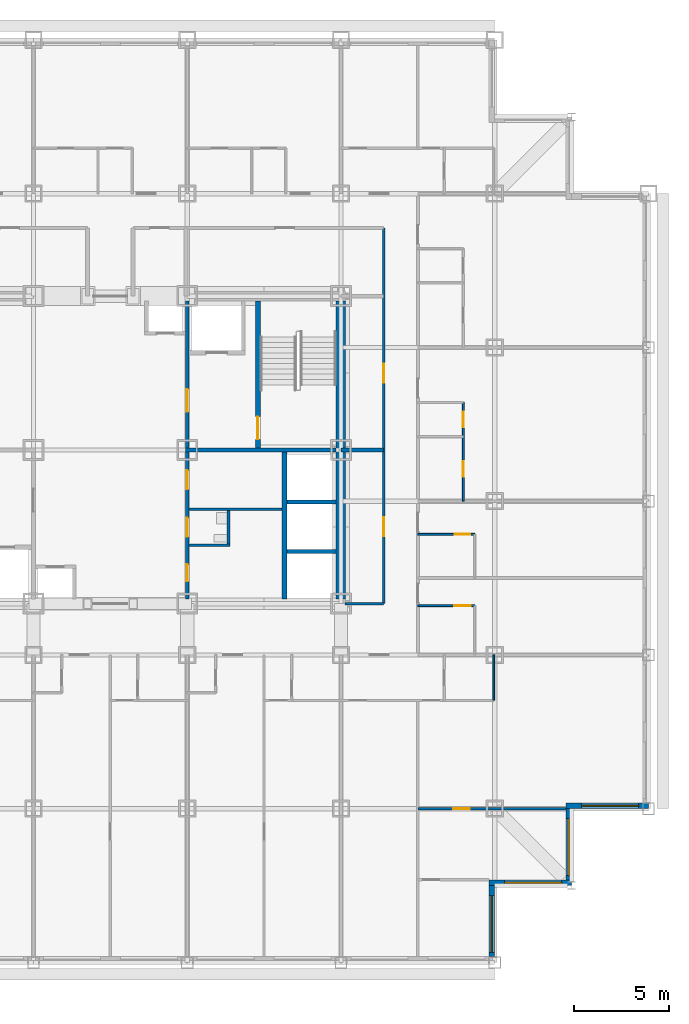
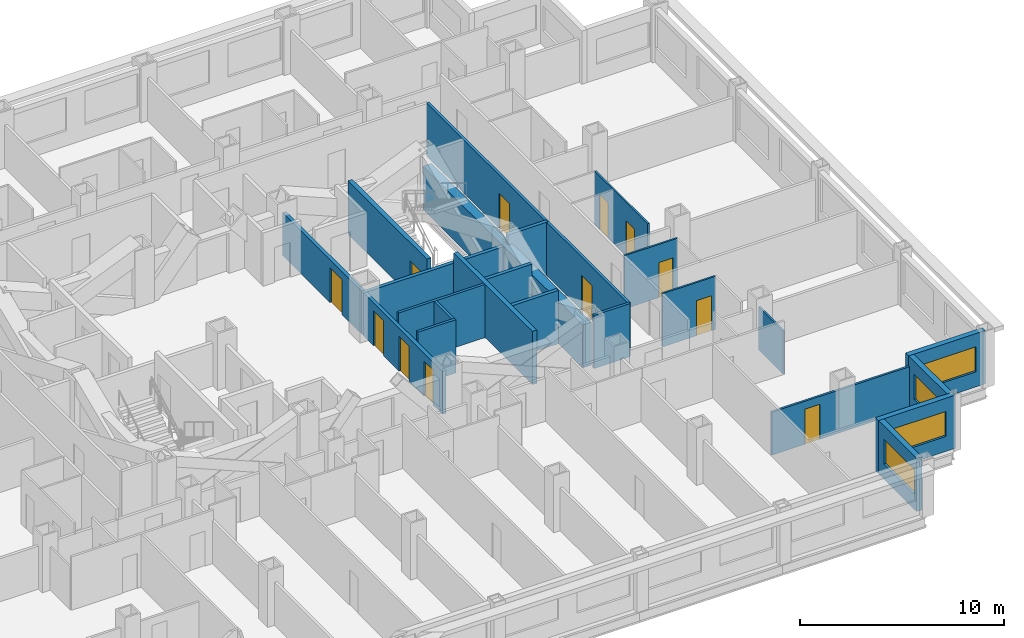
# One storey, part 7 of 13: 23 walls, 12 doors, 4 windows, 16 openings.
"""IFC4 building model written with IfcOpenShell, lengths in metres."""

from ifc_helpers import new_model, si_unit, direction, frame, frame_2d, origin, place, context, subcontext, project, spatial, rectangle, extrude, material, layer, layer_set, type_object, element, fill, save


model = new_model("IFC4")

# Units and contexts
model_context = context("Model", 3, precision=1e-05, world=origin(), true_north=direction((0.0, 1.0)))
body_context = subcontext(model_context, "Body", "Model", "MODEL_VIEW")
ifc_project = project(units=[si_unit("LENGTHUNIT", "METRE"), si_unit("AREAUNIT", "SQUARE_METRE"), si_unit("VOLUMEUNIT", "CUBIC_METRE"), si_unit("PLANEANGLEUNIT", "RADIAN"), si_unit("MASSUNIT", "GRAM", prefix="KILO")], contexts=[model_context])

# Site, building, storey
site_placement = place(None, origin())
site = spatial("IfcSite", under=ifc_project, at=site_placement, CompositionType="ELEMENT")
building_placement = place(site_placement, origin())
building = spatial("IfcBuilding", under=site, at=building_placement, Name="Kopane Lantern Tower", CompositionType="ELEMENT")
storey_placement = place(building_placement, frame((0.0, 0.0, 110.199951171875)))
storey = spatial("IfcBuildingStorey", under=building, at=storey_placement, Name="L27", CompositionType="ELEMENT", Elevation=110.199951171875)

# Wall, opening, door
ifc_material_1 = material(Name="Gypsum board on steel studs", Category="steel")
ifc_layer_1 = layer(ifc_material_1, 0.1201171875)
ifc_layer_set_1 = layer_set([ifc_layer_1], Name="APARTMENT INTERNAL WALL 120")
wall_type_1 = type_object("IfcWallType", Name="APARTMENT INTERNAL WALL 120", PredefinedType="PARTITIONING", material=ifc_layer_set_1)
wall_1_placement = place(storey_placement, frame((44.550048828125, 13.5, 0.0), z_axis=(0.0, 0.0, 1.0), x_axis=(1.0, 0.0, 0.0)))
wall_1 = element("IfcWall", 1, at=wall_1_placement, inside=storey, type_object=wall_type_1, Name="Apartment Internal Wall 120 L27", PredefinedType="PARTITIONING", context=body_context, shape_type="SweptSolid", body=[
    extrude(rectangle(XDim=7.800048828125, YDim=0.1201171875, at=frame_2d((3.89990234375, 0.0))), origin(), (0.0, 0.0, 1.0), 2.577880859375),
])
opening_1_placement = place(wall_1_placement, frame((1.875, 0.0, 0.0)))
opening_1 = element("IfcOpeningElement", 2, at=opening_1_placement, cuts=wall_1, Name="Opening L27-058", PredefinedType="OPENING", context=body_context, shape_type="SweptSolid", body=[
    extrude(rectangle(XDim=0.85009765625, YDim=2.10009765625, at=frame_2d((0.425048828125, 1.050048828125))), frame((0.0, 0.070068359375, 0.0), z_axis=(0.0, -1.0, 0.0), x_axis=(1.0, 0.0, 0.0)), (0.0, 0.0, 1.0), 0.14013671875),
])
ifc_material_2 = material(Name="Timber door set", Category="wood")
door_type_1 = type_object("IfcDoorType", Name="DOOR D4 850x2100", OperationType="SINGLE_SWING_LEFT", PredefinedType="DOOR", material=ifc_material_2)
door_1_placement = place(opening_1_placement, origin())
door_1 = element("IfcDoor", 3, at=door_1_placement, inside=storey, type_object=door_type_1, Name="Door L27-058", OperationType="SINGLE_SWING_LEFT", OverallHeight=2.10009765625, OverallWidth=0.85009765625, PredefinedType="DOOR", context=body_context, shape_type="SweptSolid", body=[
    extrude(rectangle(XDim=0.85009765625, YDim=2.10009765625, at=frame_2d((0.425048828125, 1.050048828125))), frame((0.0, 0.02490234375, 0.0), z_axis=(0.0, -1.0, 0.0), x_axis=(1.0, 0.0, 0.0)), (0.0, 0.0, 1.0), 0.050048828125),
])
fill(opening_1, door_1)

ifc_material_3 = material(Name="Moisture-resistant board on steel studs", Category="steel")
ifc_layer_2 = layer(ifc_material_3, 0.10009765625)
ifc_layer_set_2 = layer_set([ifc_layer_2], Name="BATHROOM WALL 100")
wall_type_2 = type_object("IfcWallType", Name="BATHROOM WALL 100", PredefinedType="PARTITIONING", material=ifc_layer_set_2)
wall_2_placement = place(storey_placement, frame((44.550048828125, 24.199951171875, 0.0), z_axis=(0.0, 0.0, 1.0), x_axis=(1.0, 0.0, 0.0)))
wall_2 = element("IfcWall", 4, at=wall_2_placement, inside=storey, type_object=wall_type_2, Name="Bathroom Wall 100 L27", PredefinedType="PARTITIONING", context=body_context, shape_type="SweptSolid", body=[
    extrude(rectangle(XDim=3.0, YDim=0.10009765625, at=frame_2d((1.5, 0.0))), origin(), (0.0, 0.0, 1.0), 3.18994140625),
])
opening_2_placement = place(wall_2_placement, frame((1.925048828125, 0.0, 0.0)))
opening_2 = element("IfcOpeningElement", 5, at=opening_2_placement, cuts=wall_2, Name="Opening L27-039", PredefinedType="OPENING", context=body_context, shape_type="SweptSolid", body=[
    extrude(rectangle(XDim=0.85009765625, YDim=2.10009765625, at=frame_2d((0.425048828125, 1.050048828125))), frame((0.0, 0.06005859375, 0.0), z_axis=(0.0, -1.0, 0.0), x_axis=(1.0, 0.0, 0.0)), (0.0, 0.0, 1.0), 0.1201171875),
])
door_2_placement = place(opening_2_placement, origin())
door_2 = element("IfcDoor", 6, at=door_2_placement, inside=storey, type_object=door_type_1, Name="Door L27-039", OperationType="SINGLE_SWING_LEFT", OverallHeight=2.10009765625, OverallWidth=0.85009765625, PredefinedType="DOOR", context=body_context, shape_type="SweptSolid", body=[
    extrude(rectangle(XDim=0.85009765625, YDim=2.10009765625, at=frame_2d((0.425048828125, 1.050048828125))), frame((0.0, 0.02490234375, 0.0), z_axis=(0.0, -1.0, 0.0), x_axis=(1.0, 0.0, 0.0)), (0.0, 0.0, 1.0), 0.050048828125),
])
fill(opening_2, door_2)

wall_3_placement = place(storey_placement, frame((44.550048828125, 27.949951171875, 0.0), z_axis=(0.0, 0.0, 1.0), x_axis=(1.0, 0.0, 0.0)))
wall_3 = element("IfcWall", 7, at=wall_3_placement, inside=storey, type_object=wall_type_2, Name="Bathroom Wall 100 L27", PredefinedType="PARTITIONING", context=body_context, shape_type="SweptSolid", body=[
    extrude(rectangle(XDim=3.0, YDim=0.10009765625, at=frame_2d((1.5, 0.0))), origin(), (0.0, 0.0, 1.0), 3.18994140625),
])
opening_3_placement = place(wall_3_placement, frame((1.949951171875, 0.0, 0.0)))
opening_3 = element("IfcOpeningElement", 8, at=opening_3_placement, cuts=wall_3, Name="Opening L27-041", PredefinedType="OPENING", context=body_context, shape_type="SweptSolid", body=[
    extrude(rectangle(XDim=0.800048828125, YDim=2.10009765625, at=frame_2d((0.39990234375, 1.050048828125))), frame((0.0, 0.06005859375, 0.0), z_axis=(0.0, -1.0, 0.0), x_axis=(1.0, 0.0, 0.0)), (0.0, 0.0, 1.0), 0.1201171875),
])
ifc_material_4 = material(Name="Timber door set", Category="wood")
door_type_2 = type_object("IfcDoorType", Name="DOOR D2 800x2100", OperationType="SINGLE_SWING_LEFT", PredefinedType="DOOR", material=ifc_material_4)
door_3_placement = place(opening_3_placement, origin())
door_3 = element("IfcDoor", 9, at=door_3_placement, inside=storey, type_object=door_type_2, Name="Door L27-041", OperationType="SINGLE_SWING_LEFT", OverallHeight=2.10009765625, OverallWidth=0.800048828125, PredefinedType="DOOR", context=body_context, shape_type="SweptSolid", body=[
    extrude(rectangle(XDim=0.800048828125, YDim=2.10009765625, at=frame_2d((0.39990234375, 1.050048828125))), frame((0.0, 0.02490234375, 0.0), z_axis=(0.0, -1.0, 0.0), x_axis=(1.0, 0.0, 0.0)), (0.0, 0.0, 1.0), 0.050048828125),
])
fill(opening_3, door_3)

# Wall, openings, doors
wall_4_placement = place(storey_placement, frame((46.949951171875, 29.699951171875, 0.0), z_axis=(0.0, 0.0, 1.0), x_axis=(0.0, 1.0, 0.0)))
wall_4 = element("IfcWall", 10, at=wall_4_placement, inside=storey, type_object=wall_type_2, Name="Bathroom Wall 100 L27", PredefinedType="PARTITIONING", context=body_context, shape_type="SweptSolid", body=[
    extrude(rectangle(XDim=5.199951171875, YDim=0.10009765625, at=frame_2d((2.60009765625, 0.0))), origin(), (0.0, 0.0, 1.0), 3.18994140625),
])
opening_4_placement = place(wall_4_placement, frame((1.300048828125, 0.0, 0.0)))
opening_4 = element("IfcOpeningElement", 11, at=opening_4_placement, cuts=wall_4, Name="Opening L27-043", PredefinedType="OPENING", context=body_context, shape_type="SweptSolid", body=[
    extrude(rectangle(XDim=0.800048828125, YDim=2.10009765625, at=frame_2d((0.39990234375, 1.050048828125))), frame((0.0, 0.06005859375, 0.0), z_axis=(0.0, -1.0, 0.0), x_axis=(1.0, 0.0, 0.0)), (0.0, 0.0, 1.0), 0.1201171875),
])
opening_5_placement = place(wall_4_placement, frame((3.89990234375, 0.0, 0.0)))
opening_5 = element("IfcOpeningElement", 12, at=opening_5_placement, cuts=wall_4, Name="Opening L27-044", PredefinedType="OPENING", context=body_context, shape_type="SweptSolid", body=[
    extrude(rectangle(XDim=0.800048828125, YDim=2.10009765625, at=frame_2d((0.39990234375, 1.050048828125))), frame((0.0, 0.06005859375, 0.0), z_axis=(0.0, -1.0, 0.0), x_axis=(1.0, 0.0, 0.0)), (0.0, 0.0, 1.0), 0.1201171875),
])
door_4_placement = place(opening_4_placement, origin())
door_4 = element("IfcDoor", 13, at=door_4_placement, inside=storey, type_object=door_type_2, Name="Door L27-043", OperationType="SINGLE_SWING_RIGHT", OverallHeight=2.10009765625, OverallWidth=0.800048828125, PredefinedType="DOOR", context=body_context, shape_type="SweptSolid", body=[
    extrude(rectangle(XDim=0.800048828125, YDim=2.10009765625, at=frame_2d((0.39990234375, 1.050048828125))), frame((0.0, 0.02490234375, 0.0), z_axis=(0.0, -1.0, 0.0), x_axis=(1.0, 0.0, 0.0)), (0.0, 0.0, 1.0), 0.050048828125),
])
fill(opening_4, door_4)
door_5_placement = place(opening_5_placement, origin())
door_5 = element("IfcDoor", 14, at=door_5_placement, inside=storey, type_object=door_type_2, Name="Door L27-044", OperationType="SINGLE_SWING_RIGHT", OverallHeight=2.10009765625, OverallWidth=0.800048828125, PredefinedType="DOOR", context=body_context, shape_type="SweptSolid", body=[
    extrude(rectangle(XDim=0.800048828125, YDim=2.10009765625, at=frame_2d((0.39990234375, 1.050048828125))), frame((0.0, 0.02490234375, 0.0), z_axis=(0.0, -1.0, 0.0), x_axis=(1.0, 0.0, 0.0)), (0.0, 0.0, 1.0), 0.050048828125),
])
fill(opening_5, door_5)

# Walls
wall_5_placement = place(storey_placement, frame((48.550048828125, 21.60009765625, 0.0), z_axis=(0.0, 0.0, 1.0), x_axis=(0.0, -1.0, 0.0)))
element("IfcWall", 15, at=wall_5_placement, inside=storey, type_object=wall_type_2, Name="Bathroom Wall 100 L27", PredefinedType="PARTITIONING", context=body_context, shape_type="SweptSolid", body=[
    extrude(rectangle(XDim=2.400146484375, YDim=0.10009765625, at=frame_2d((1.2001953125, 0.0))), origin(), (0.0, 0.0, 1.0), 2.577880859375),
])
ifc_material_5 = material(Name="Gypsum shaft wall EI 120", Category="gypsum")
ifc_layer_3 = layer(ifc_material_5, 0.5)
ifc_layer_set_3 = layer_set([ifc_layer_3], Name="CORE PERIMETER WALL 500 EI 120")
wall_type_3 = type_object("IfcWallType", Name="CORE PERIMETER WALL 500 EI 120", PredefinedType="SOLIDWALL", material=ifc_layer_set_3)
wall_6_placement = place(storey_placement, frame((40.5, 24.550048828125, 0.0), z_axis=(0.0, 0.0, 1.0), x_axis=(0.0, 1.0, 0.0)))
element("IfcWall", 16, at=wall_6_placement, inside=storey, type_object=wall_type_3, Name="Core shaft wall L27 PE", PredefinedType="SOLIDWALL", context=body_context, shape_type="SweptSolid", body=[
    extrude(rectangle(XDim=15.699951171875, YDim=0.5, at=frame_2d((7.85009765625, 0.0))), origin(), (0.0, 0.0, 1.0), 2.577880859375),
])
ifc_material_6 = material(Name="Gypsum partition EI 60", Category="gypsum")
ifc_layer_4 = layer(ifc_material_6, 0.14990234375)
ifc_layer_set_4 = layer_set([ifc_layer_4], Name="CORE ROOM PARTITION 150 EI 60")
wall_type_4 = type_object("IfcWallType", Name="CORE ROOM PARTITION 150 EI 60", PredefinedType="PARTITIONING", material=ifc_layer_set_4)
wall_7_placement = place(storey_placement, frame((32.5, 27.375, 0.0), z_axis=(0.0, 0.0, 1.0), x_axis=(1.0, 0.0, 0.0)))
element("IfcWall", 17, at=wall_7_placement, inside=storey, type_object=wall_type_4, Name="Core room partition L27 E1", PredefinedType="PARTITIONING", context=body_context, shape_type="SweptSolid", body=[
    extrude(rectangle(XDim=2.14990234375, YDim=0.14990234375, at=frame_2d((1.074951171875, 0.0))), origin(), (0.0, 0.0, 1.0), 3.18994140625),
])
wall_8_placement = place(storey_placement, frame((32.5, 29.27490234375, 0.0), z_axis=(0.0, 0.0, 1.0), x_axis=(1.0, 0.0, 0.0)))
element("IfcWall", 18, at=wall_8_placement, inside=storey, type_object=wall_type_4, Name="Core room partition L27 E2", PredefinedType="PARTITIONING", context=body_context, shape_type="SweptSolid", body=[
    extrude(rectangle(XDim=4.89990234375, YDim=0.14990234375, at=frame_2d((2.449951171875, 0.0))), origin(), (0.0, 0.0, 1.0), 3.18994140625),
])
wall_9_placement = place(storey_placement, frame((34.574951171875, 27.449951171875, 0.0), z_axis=(0.0, 0.0, 1.0), x_axis=(0.0, 1.0, 0.0)))
element("IfcWall", 19, at=wall_9_placement, inside=storey, type_object=wall_type_4, Name="Core room partition L27 EB1", PredefinedType="PARTITIONING", context=body_context, shape_type="SweptSolid", body=[
    extrude(rectangle(XDim=1.75, YDim=0.14990234375, at=frame_2d((0.875, 0.0))), origin(), (0.0, 0.0, 1.0), 3.18994140625),
])

# Wall, openings, doors
ifc_material_7 = material(Name="Gypsum partition EI 60", Category="gypsum")
ifc_layer_5 = layer(ifc_material_7, 0.199951171875)
ifc_layer_set_5 = layer_set([ifc_layer_5], Name="CORE ROOM WALL 200 EI 60")
wall_type_5 = type_object("IfcWallType", Name="CORE ROOM WALL 200 EI 60", PredefinedType="PARTITIONING", material=ifc_layer_set_5)
wall_10_placement = place(storey_placement, frame((32.39990234375, 24.550048828125, 0.0), z_axis=(0.0, 0.0, 1.0), x_axis=(0.0, 1.0, 0.0)))
wall_10 = element("IfcWall", 20, at=wall_10_placement, inside=storey, type_object=wall_type_5, Name="Core room wall L27 XE", PredefinedType="PARTITIONING", context=body_context, shape_type="SweptSolid", body=[
    extrude(rectangle(XDim=7.75, YDim=0.199951171875, at=frame_2d((3.875, 0.0))), origin(), (0.0, 0.0, 1.0), 2.577880859375),
])
opening_6_placement = place(wall_10_placement, frame((0.925048828125, 0.0, 0.0)))
opening_6 = element("IfcOpeningElement", 21, at=opening_6_placement, cuts=wall_10, Name="Opening 27.C20", PredefinedType="OPENING", context=body_context, shape_type="SweptSolid", body=[
    extrude(rectangle(XDim=0.89990234375, YDim=2.10009765625, at=frame_2d((0.449951171875, 1.050048828125))), frame((0.0, 0.10986328125, 0.0), z_axis=(0.0, -1.0, 0.0), x_axis=(1.0, 0.0, 0.0)), (0.0, 0.0, 1.0), 0.219970703125),
])
opening_7_placement = place(wall_10_placement, frame((3.27490234375, 0.0, 0.0)))
opening_7 = element("IfcOpeningElement", 22, at=opening_7_placement, cuts=wall_10, Name="Opening 27.C21", PredefinedType="OPENING", context=body_context, shape_type="SweptSolid", body=[
    extrude(rectangle(XDim=1.0, YDim=2.10009765625, at=frame_2d((0.5, 1.050048828125))), frame((0.0, 0.10986328125, 0.0), z_axis=(0.0, -1.0, 0.0), x_axis=(1.0, 0.0, 0.0)), (0.0, 0.0, 1.0), 0.219970703125),
])
opening_8_placement = place(wall_10_placement, frame((5.77490234375, 0.0, 0.0)))
opening_8 = element("IfcOpeningElement", 23, at=opening_8_placement, cuts=wall_10, Name="Opening 27.C22", PredefinedType="OPENING", context=body_context, shape_type="SweptSolid", body=[
    extrude(rectangle(XDim=1.0, YDim=2.10009765625, at=frame_2d((0.5, 1.050048828125))), frame((0.0, 0.10986328125, 0.0), z_axis=(0.0, -1.0, 0.0), x_axis=(1.0, 0.0, 0.0)), (0.0, 0.0, 1.0), 0.219970703125),
])
ifc_material_8 = material(Name="Steel door set", Category="steel")
door_type_3 = type_object("IfcDoorType", Name="CORE ROOM DOOR 1000x2100 FD30S", OperationType="SINGLE_SWING_RIGHT", PredefinedType="DOOR", material=ifc_material_8)
door_6_placement = place(opening_7_placement, origin())
door_6 = element("IfcDoor", 24, at=door_6_placement, inside=storey, type_object=door_type_3, Name="Door Staff WC L27", OperationType="SINGLE_SWING_LEFT", OverallHeight=2.10009765625, OverallWidth=1.0, PredefinedType="DOOR", context=body_context, shape_type="SweptSolid", body=[
    extrude(rectangle(XDim=1.0, YDim=2.10009765625, at=frame_2d((0.5, 1.050048828125))), frame((0.0, 0.02490234375, 0.0), z_axis=(0.0, -1.0, 0.0), x_axis=(1.0, 0.0, 0.0)), (0.0, 0.0, 1.0), 0.050048828125),
])
fill(opening_7, door_6)
door_7_placement = place(opening_8_placement, origin())
door_7 = element("IfcDoor", 25, at=door_7_placement, inside=storey, type_object=door_type_3, Name="Door Butler pantry L27", OperationType="SINGLE_SWING_RIGHT", OverallHeight=2.10009765625, OverallWidth=1.0, PredefinedType="DOOR", context=body_context, shape_type="SweptSolid", body=[
    extrude(rectangle(XDim=1.0, YDim=2.10009765625, at=frame_2d((0.5, 1.050048828125))), frame((0.0, 0.02490234375, 0.0), z_axis=(0.0, -1.0, 0.0), x_axis=(1.0, 0.0, 0.0)), (0.0, 0.0, 1.0), 0.050048828125),
])
fill(opening_8, door_7)
ifc_material_9 = material(Name="Steel door set", Category="steel")
door_type_4 = type_object("IfcDoorType", Name="CORE ROOM DOOR 900x2100 FD60", OperationType="SINGLE_SWING_LEFT", PredefinedType="DOOR", material=ifc_material_9)
door_8_placement = place(opening_6_placement, origin())
door_8 = element("IfcDoor", 26, at=door_8_placement, inside=storey, type_object=door_type_4, Name="Door Luggage store L27", OperationType="SINGLE_SWING_LEFT", OverallHeight=2.10009765625, OverallWidth=0.89990234375, PredefinedType="DOOR", context=body_context, shape_type="SweptSolid", body=[
    extrude(rectangle(XDim=0.89990234375, YDim=2.10009765625, at=frame_2d((0.449951171875, 1.050048828125))), frame((0.0, 0.02490234375, 0.0), z_axis=(0.0, -1.0, 0.0), x_axis=(1.0, 0.0, 0.0)), (0.0, 0.0, 1.0), 0.050048828125),
])
fill(opening_6, door_8)

# Wall
ifc_material_10 = material(Name="Gypsum shaft wall EI 120", Category="gypsum")
ifc_layer_6 = layer(ifc_material_10, 0.25)
ifc_layer_set_6 = layer_set([ifc_layer_6], Name="CORE SHAFT WALL 250 EI 120")
wall_type_6 = type_object("IfcWallType", Name="CORE SHAFT WALL 250 EI 120", PredefinedType="SOLIDWALL", material=ifc_layer_set_6)
wall_11_placement = place(storey_placement, frame((37.52490234375, 24.550048828125, 0.0), z_axis=(0.0, 0.0, 1.0), x_axis=(0.0, 1.0, 0.0)))
element("IfcWall", 27, at=wall_11_placement, inside=storey, type_object=wall_type_6, Name="Core shaft wall L27 XLR", PredefinedType="SOLIDWALL", context=body_context, shape_type="SweptSolid", body=[
    extrude(rectangle(XDim=7.75, YDim=0.25, at=frame_2d((3.875, 0.0))), origin(), (0.0, 0.0, 1.0), 3.18994140625),
])

# Wall, opening, door
wall_12_placement = place(storey_placement, frame((36.125, 32.5, 0.0), z_axis=(0.0, 0.0, 1.0), x_axis=(0.0, 1.0, 0.0)))
wall_12 = element("IfcWall", 28, at=wall_12_placement, inside=storey, type_object=wall_type_6, Name="Core shaft wall L27 XST2", PredefinedType="SOLIDWALL", context=body_context, shape_type="SweptSolid", body=[
    extrude(rectangle(XDim=7.75, YDim=0.25, at=frame_2d((3.875, 0.0))), origin(), (0.0, 0.0, 1.0), 3.18994140625),
])
opening_9_placement = place(wall_12_placement, frame((0.449951171875, 0.0, 0.0)))
opening_9 = element("IfcOpeningElement", 29, at=opening_9_placement, cuts=wall_12, Name="Opening 27.SD2", PredefinedType="OPENING", context=body_context, shape_type="SweptSolid", body=[
    extrude(rectangle(XDim=1.199951171875, YDim=2.10009765625, at=frame_2d((0.60009765625, 1.050048828125))), frame((0.0, 0.135009765625, 0.0), z_axis=(0.0, -1.0, 0.0), x_axis=(1.0, 0.0, 0.0)), (0.0, 0.0, 1.0), 0.27001953125),
])
ifc_material_11 = material(Name="Steel door set", Category="steel")
door_type_5 = type_object("IfcDoorType", Name="STAIR DOOR 1200x2100 FD60S", OperationType="SINGLE_SWING_LEFT", PredefinedType="DOOR", material=ifc_material_11)
door_9_placement = place(opening_9_placement, origin())
door_9 = element("IfcDoor", 30, at=door_9_placement, inside=storey, type_object=door_type_5, Name="Stair door ST2 L27", OperationType="SINGLE_SWING_RIGHT", OverallHeight=2.10009765625, OverallWidth=1.199951171875, PredefinedType="DOOR", context=body_context, shape_type="SweptSolid", body=[
    extrude(rectangle(XDim=1.199951171875, YDim=2.10009765625, at=frame_2d((0.60009765625, 1.050048828125))), frame((0.0, 0.02490234375, 0.0), z_axis=(0.0, -1.0, 0.0), x_axis=(1.0, 0.0, 0.0)), (0.0, 0.0, 1.0), 0.050048828125),
])
fill(opening_9, door_9)

# Wall, openings, doors
ifc_material_12 = material(Name="Gypsum board on steel studs", Category="steel")
ifc_layer_7 = layer(ifc_material_12, 0.14990234375)
ifc_layer_set_7 = layer_set([ifc_layer_7], Name="CORRIDOR WALL 150 EI 60")
wall_type_7 = type_object("IfcWallType", Name="CORRIDOR WALL 150 EI 60", PredefinedType="PARTITIONING", material=ifc_layer_set_7)
wall_13_placement = place(storey_placement, frame((42.75, 24.300048828125, 0.0), z_axis=(0.0, 0.0, 1.0), x_axis=(0.0, 1.0, 0.0)))
wall_13 = element("IfcWall", 31, at=wall_13_placement, inside=storey, type_object=wall_type_7, Name="Corridor Wall 150 Ei 60 L27", PredefinedType="PARTITIONING", context=body_context, shape_type="SweptSolid", body=[
    extrude(rectangle(XDim=19.800048828125, YDim=0.14990234375, at=frame_2d((9.89990234375, 0.0))), origin(), (0.0, 0.0, 1.0), 3.18994140625),
])
opening_10_placement = place(wall_13_placement, frame((3.550048828125, 0.0, 0.0)))
opening_10 = element("IfcOpeningElement", 32, at=opening_10_placement, cuts=wall_13, Name="Opening L27-003", PredefinedType="OPENING", context=body_context, shape_type="SweptSolid", body=[
    extrude(rectangle(XDim=1.0, YDim=2.10009765625, at=frame_2d((0.5, 1.050048828125))), frame((0.0, 0.0849609375, 0.0), z_axis=(0.0, -1.0, 0.0), x_axis=(1.0, 0.0, 0.0)), (0.0, 0.0, 1.0), 0.169921875),
])
opening_11_placement = place(wall_13_placement, frame((11.64990234375, 0.0, 0.0)))
opening_11 = element("IfcOpeningElement", 33, at=opening_11_placement, cuts=wall_13, Name="Opening L27-004", PredefinedType="OPENING", context=body_context, shape_type="SweptSolid", body=[
    extrude(rectangle(XDim=1.0, YDim=2.10009765625, at=frame_2d((0.5, 1.050048828125))), frame((0.0, 0.0849609375, 0.0), z_axis=(0.0, -1.0, 0.0), x_axis=(1.0, 0.0, 0.0)), (0.0, 0.0, 1.0), 0.169921875),
])
ifc_material_13 = material(Name="Steel door set", Category="steel")
door_type_6 = type_object("IfcDoorType", Name="DOOR D5 1000x2100 FD60", OperationType="SINGLE_SWING_LEFT", PredefinedType="DOOR", material=ifc_material_13)
door_10_placement = place(opening_10_placement, origin())
door_10 = element("IfcDoor", 34, at=door_10_placement, inside=storey, type_object=door_type_6, Name="Door L27-003", OperationType="SINGLE_SWING_LEFT", OverallHeight=2.10009765625, OverallWidth=1.0, PredefinedType="DOOR", context=body_context, shape_type="SweptSolid", body=[
    extrude(rectangle(XDim=1.0, YDim=2.10009765625, at=frame_2d((0.5, 1.050048828125))), frame((0.0, 0.02490234375, 0.0), z_axis=(0.0, -1.0, 0.0), x_axis=(1.0, 0.0, 0.0)), (0.0, 0.0, 1.0), 0.050048828125),
])
fill(opening_10, door_10)
door_11_placement = place(opening_11_placement, origin())
door_11 = element("IfcDoor", 35, at=door_11_placement, inside=storey, type_object=door_type_6, Name="Door L27-004", OperationType="SINGLE_SWING_RIGHT", OverallHeight=2.10009765625, OverallWidth=1.0, PredefinedType="DOOR", context=body_context, shape_type="SweptSolid", body=[
    extrude(rectangle(XDim=1.0, YDim=2.10009765625, at=frame_2d((0.5, 1.050048828125))), frame((0.0, 0.02490234375, 0.0), z_axis=(0.0, -1.0, 0.0), x_axis=(1.0, 0.0, 0.0)), (0.0, 0.0, 1.0), 0.050048828125),
])
fill(opening_11, door_11)

# Wall
wall_14_placement = place(storey_placement, frame((40.699951171875, 24.300048828125, 0.0), z_axis=(0.0, 0.0, 1.0), x_axis=(1.0, 0.0, 0.0)))
element("IfcWall", 36, at=wall_14_placement, inside=storey, type_object=wall_type_7, Name="Corridor Wall 150 Ei 60 L27", PredefinedType="PARTITIONING", context=body_context, shape_type="SweptSolid", body=[
    extrude(rectangle(XDim=2.050048828125, YDim=0.14990234375, at=frame_2d((1.02490234375, 0.0))), origin(), (0.0, 0.0, 1.0), 3.18994140625),
])

# Wall, opening, window
ifc_material_14 = material(Name="Terracotta rainscreen on light steel framing", Category="masonry")
ifc_layer_8 = layer(ifc_material_14, 0.300048828125)
ifc_layer_set_8 = layer_set([ifc_layer_8], Name="EXTERNAL WALL EW1 300 TERRACOTTA")
wall_type_8 = type_object("IfcWallType", Name="EXTERNAL WALL EW1 300 TERRACOTTA", PredefinedType="SOLIDWALL", material=ifc_layer_set_8)
wall_15_placement = place(storey_placement, frame((48.449951171875, 5.699951171875, 0.0), z_axis=(0.0, 0.0, 1.0), x_axis=(0.0, 1.0, 0.0)))
wall_15 = element("IfcWall", 37, at=wall_15_placement, inside=storey, type_object=wall_type_8, Name="External wall E L27", PredefinedType="SOLIDWALL", context=body_context, shape_type="SweptSolid", body=[
    extrude(rectangle(XDim=3.75, YDim=0.300048828125, at=frame_2d((1.875, 0.0))), origin(), (0.0, 0.0, 1.0), 3.18994140625),
])
opening_12_placement = place(wall_15_placement, frame((0.22509765625, 0.0, 0.89990234375)))
opening_12 = element("IfcOpeningElement", 38, at=opening_12_placement, cuts=wall_15, Name="Opening WR300150", PredefinedType="OPENING", context=body_context, shape_type="SweptSolid", body=[
    extrude(rectangle(XDim=3.0, YDim=1.5, at=frame_2d((1.5, 0.75))), frame((0.0, 0.159912109375, 0.0), z_axis=(0.0, -1.0, 0.0), x_axis=(1.0, 0.0, 0.0)), (0.0, 0.0, 1.0), 0.320068359375),
])
ifc_material_15 = material(Name="Aluminium and clear glass", Category="aluminium")
window_type = type_object("IfcWindowType", Name="RIBBON WINDOW WR300150 3000x1500", PartitioningType="SINGLE_PANEL", PredefinedType="WINDOW", material=ifc_material_15)
window_1_placement = place(opening_12_placement, origin())
window_1 = element("IfcWindow", 39, at=window_1_placement, inside=storey, type_object=window_type, Name="Window E L27", OverallHeight=1.5, OverallWidth=3.0, PartitioningType="SINGLE_PANEL", PredefinedType="WINDOW", context=body_context, shape_type="SweptSolid", body=[
    extrude(rectangle(XDim=3.0, YDim=1.5, at=frame_2d((1.5, 0.75))), frame((0.0, 0.030029296875, 0.0), z_axis=(0.0, -1.0, 0.0), x_axis=(1.0, 0.0, 0.0)), (0.0, 0.0, 1.0), 0.06005859375),
])
fill(opening_12, window_1)

wall_16_placement = place(storey_placement, frame((48.300048828125, 9.60009765625, 0.0), z_axis=(0.0, 0.0, 1.0), x_axis=(1.0, 0.0, 0.0)))
wall_16 = element("IfcWall", 40, at=wall_16_placement, inside=storey, type_object=wall_type_8, Name="External wall S L27", PredefinedType="SOLIDWALL", context=body_context, shape_type="SweptSolid", body=[
    extrude(rectangle(XDim=4.349853515625, YDim=0.300048828125, at=frame_2d((2.1748046875, 0.0))), origin(), (0.0, 0.0, 1.0), 3.18994140625),
])
opening_13_placement = place(wall_16_placement, frame((0.824951171875, 0.0, 0.89990234375)))
opening_13 = element("IfcOpeningElement", 41, at=opening_13_placement, cuts=wall_16, Name="Opening WR300150", PredefinedType="OPENING", context=body_context, shape_type="SweptSolid", body=[
    extrude(rectangle(XDim=3.0, YDim=1.5, at=frame_2d((1.5, 0.75))), frame((0.0, 0.159912109375, 0.0), z_axis=(0.0, -1.0, 0.0), x_axis=(1.0, 0.0, 0.0)), (0.0, 0.0, 1.0), 0.320068359375),
])
window_2_placement = place(opening_13_placement, origin())
window_2 = element("IfcWindow", 42, at=window_2_placement, inside=storey, type_object=window_type, Name="Window S L27", OverallHeight=1.5, OverallWidth=3.0, PartitioningType="SINGLE_PANEL", PredefinedType="WINDOW", context=body_context, shape_type="SweptSolid", body=[
    extrude(rectangle(XDim=3.0, YDim=1.5, at=frame_2d((1.5, 0.75))), frame((0.0, 0.030029296875, 0.0), z_axis=(0.0, -1.0, 0.0), x_axis=(1.0, 0.0, 0.0)), (0.0, 0.0, 1.0), 0.06005859375),
])
fill(opening_13, window_2)

wall_17_placement = place(storey_placement, frame((52.5, 9.75, 0.0), z_axis=(0.0, 0.0, 1.0), x_axis=(0.0, 1.0, 0.0)))
wall_17 = element("IfcWall", 43, at=wall_17_placement, inside=storey, type_object=wall_type_8, Name="External wall E L27", PredefinedType="SOLIDWALL", context=body_context, shape_type="SweptSolid", body=[
    extrude(rectangle(XDim=3.75, YDim=0.300048828125, at=frame_2d((1.875, 0.0))), origin(), (0.0, 0.0, 1.0), 3.18994140625),
])
opening_14_placement = place(wall_17_placement, frame((0.22509765625, 0.0, 0.89990234375)))
opening_14 = element("IfcOpeningElement", 44, at=opening_14_placement, cuts=wall_17, Name="Opening WR300150", PredefinedType="OPENING", context=body_context, shape_type="SweptSolid", body=[
    extrude(rectangle(XDim=3.0, YDim=1.5, at=frame_2d((1.5, 0.75))), frame((0.0, 0.159912109375, 0.0), z_axis=(0.0, -1.0, 0.0), x_axis=(1.0, 0.0, 0.0)), (0.0, 0.0, 1.0), 0.320068359375),
])
window_3_placement = place(opening_14_placement, origin())
window_3 = element("IfcWindow", 45, at=window_3_placement, inside=storey, type_object=window_type, Name="Window E L27", OverallHeight=1.5, OverallWidth=3.0, PartitioningType="SINGLE_PANEL", PredefinedType="WINDOW", context=body_context, shape_type="SweptSolid", body=[
    extrude(rectangle(XDim=3.0, YDim=1.5, at=frame_2d((1.5, 0.75))), frame((0.0, 0.030029296875, 0.0), z_axis=(0.0, -1.0, 0.0), x_axis=(1.0, 0.0, 0.0)), (0.0, 0.0, 1.0), 0.06005859375),
])
fill(opening_14, window_3)

wall_18_placement = place(storey_placement, frame((52.35009765625, 13.64990234375, 0.0), z_axis=(0.0, 0.0, 1.0), x_axis=(1.0, 0.0, 0.0)))
wall_18 = element("IfcWall", 46, at=wall_18_placement, inside=storey, type_object=wall_type_8, Name="External wall S L27", PredefinedType="SOLIDWALL", context=body_context, shape_type="SweptSolid", body=[
    extrude(rectangle(XDim=4.349853515625, YDim=0.300048828125, at=frame_2d((2.1748046875, 0.0))), origin(), (0.0, 0.0, 1.0), 3.18994140625),
])
opening_15_placement = place(wall_18_placement, frame((0.824951171875, 0.0, 0.89990234375)))
opening_15 = element("IfcOpeningElement", 47, at=opening_15_placement, cuts=wall_18, Name="Opening WR300150", PredefinedType="OPENING", context=body_context, shape_type="SweptSolid", body=[
    extrude(rectangle(XDim=3.0, YDim=1.5, at=frame_2d((1.5, 0.75))), frame((0.0, 0.159912109375, 0.0), z_axis=(0.0, -1.0, 0.0), x_axis=(1.0, 0.0, 0.0)), (0.0, 0.0, 1.0), 0.320068359375),
])
window_4_placement = place(opening_15_placement, origin())
window_4 = element("IfcWindow", 48, at=window_4_placement, inside=storey, type_object=window_type, Name="Window S L27", OverallHeight=1.5, OverallWidth=3.0, PartitioningType="SINGLE_PANEL", PredefinedType="WINDOW", context=body_context, shape_type="SweptSolid", body=[
    extrude(rectangle(XDim=3.0, YDim=1.5, at=frame_2d((1.5, 0.75))), frame((0.0, 0.030029296875, 0.0), z_axis=(0.0, -1.0, 0.0), x_axis=(1.0, 0.0, 0.0)), (0.0, 0.0, 1.0), 0.06005859375),
])
fill(opening_15, window_4)

# Walls
ifc_material_16 = material(Name="Concrete masonry", Category="masonry")
ifc_layer_9 = layer(ifc_material_16, 0.199951171875)
ifc_layer_set_9 = layer_set([ifc_layer_9], Name="PLANT ROOM WALL 200 EI 120")
wall_type_9 = type_object("IfcWallType", Name="PLANT ROOM WALL 200 EI 120", PredefinedType="SOLIDWALL", material=ifc_layer_set_9)
wall_19_placement = place(storey_placement, frame((40.5, 32.39990234375, 0.0), z_axis=(0.0, 0.0, 1.0), x_axis=(1.0, 0.0, 0.0)))
element("IfcWall", 49, at=wall_19_placement, inside=storey, type_object=wall_type_9, Name="Plant Room Wall 200 Ei 120 L27", PredefinedType="SOLIDWALL", context=body_context, shape_type="SweptSolid", body=[
    extrude(rectangle(XDim=2.25, YDim=0.199951171875, at=frame_2d((1.125, 0.0))), origin(), (0.0, 0.0, 1.0), 3.18994140625),
])
ifc_material_17 = material(Name="Gypsum shaft wall EI 120", Category="gypsum")
ifc_layer_10 = layer(ifc_material_17, 0.199951171875)
ifc_layer_set_10 = layer_set([ifc_layer_10], Name="SHAFT WALL 200 EI 120")
wall_type_10 = type_object("IfcWallType", Name="SHAFT WALL 200 EI 120", PredefinedType="SOLIDWALL", material=ifc_layer_set_10)
wall_20_placement = place(storey_placement, frame((32.300048828125, 32.39990234375, 0.0), z_axis=(0.0, 0.0, 1.0), x_axis=(1.0, 0.0, 0.0)))
element("IfcWall", 50, at=wall_20_placement, inside=storey, type_object=wall_type_10, Name="Core shaft wall L27 Y324E", PredefinedType="SOLIDWALL", context=body_context, shape_type="SweptSolid", body=[
    extrude(rectangle(XDim=7.949951171875, YDim=0.199951171875, at=frame_2d((3.97509765625, 0.0))), origin(), (0.0, 0.0, 1.0), 2.577880859375),
])

# Wall, opening, door
wall_21_placement = place(storey_placement, frame((32.39990234375, 32.5, 0.0), z_axis=(0.0, 0.0, 1.0), x_axis=(0.0, 1.0, 0.0)))
wall_21 = element("IfcWall", 51, at=wall_21_placement, inside=storey, type_object=wall_type_10, Name="Core shaft wall L27 X324", PredefinedType="SOLIDWALL", context=body_context, shape_type="SweptSolid", body=[
    extrude(rectangle(XDim=7.75, YDim=0.199951171875, at=frame_2d((3.875, 0.0))), origin(), (0.0, 0.0, 1.0), 2.577880859375),
])
opening_16_placement = place(wall_21_placement, frame((1.89990234375, 0.0, 0.0)))
opening_16 = element("IfcOpeningElement", 52, at=opening_16_placement, cuts=wall_21, Name="Opening 27.FL2", PredefinedType="OPENING", context=body_context, shape_type="SweptSolid", body=[
    extrude(rectangle(XDim=1.199951171875, YDim=2.10009765625, at=frame_2d((0.60009765625, 1.050048828125))), frame((0.0, 0.10986328125, 0.0), z_axis=(0.0, -1.0, 0.0), x_axis=(1.0, 0.0, 0.0)), (0.0, 0.0, 1.0), 0.219970703125),
])
ifc_material_18 = material(Name="Steel door set", Category="steel")
door_type_7 = type_object("IfcDoorType", Name="FIREFIGHTING LOBBY DOOR 1200x2100 FD60S", OperationType="SINGLE_SWING_RIGHT", PredefinedType="DOOR", material=ifc_material_18)
door_12_placement = place(opening_16_placement, origin())
door_12 = element("IfcDoor", 53, at=door_12_placement, inside=storey, type_object=door_type_7, Name="Firefighting lobby door FL2 L27", OperationType="SINGLE_SWING_LEFT", OverallHeight=2.10009765625, OverallWidth=1.199951171875, PredefinedType="DOOR", context=body_context, shape_type="SweptSolid", body=[
    extrude(rectangle(XDim=1.199951171875, YDim=2.10009765625, at=frame_2d((0.60009765625, 1.050048828125))), frame((0.0, 0.02490234375, 0.0), z_axis=(0.0, -1.0, 0.0), x_axis=(1.0, 0.0, 0.0)), (0.0, 0.0, 1.0), 0.050048828125),
])
fill(opening_16, door_12)

# Walls
for number, where, z_axis, x_axis, name in (
    (54, (37.64990234375, 27.050048828125, 0.0), (0.0, 0.0, 1.0), (1.0, 0.0, 0.0), "Core shaft wall L27 YLR12"),
    (55, (37.64990234375, 29.64990234375, 0.0), (0.0, 0.0, 1.0), (1.0, 0.0, 0.0), "Core shaft wall L27 YLR23"),
):
    element("IfcWall", number, at=place(storey_placement, frame(where, z_axis=z_axis, x_axis=x_axis)), inside=storey, type_object=wall_type_10, Name=name, PredefinedType="SOLIDWALL", context=body_context, shape_type="SweptSolid", body=[
        extrude(rectangle(XDim=2.60009765625, YDim=0.199951171875, at=frame_2d((1.300048828125, 0.0))), origin(), (0.0, 0.0, 1.0), 3.18994140625),
    ])

save(model, "model.ifc")
